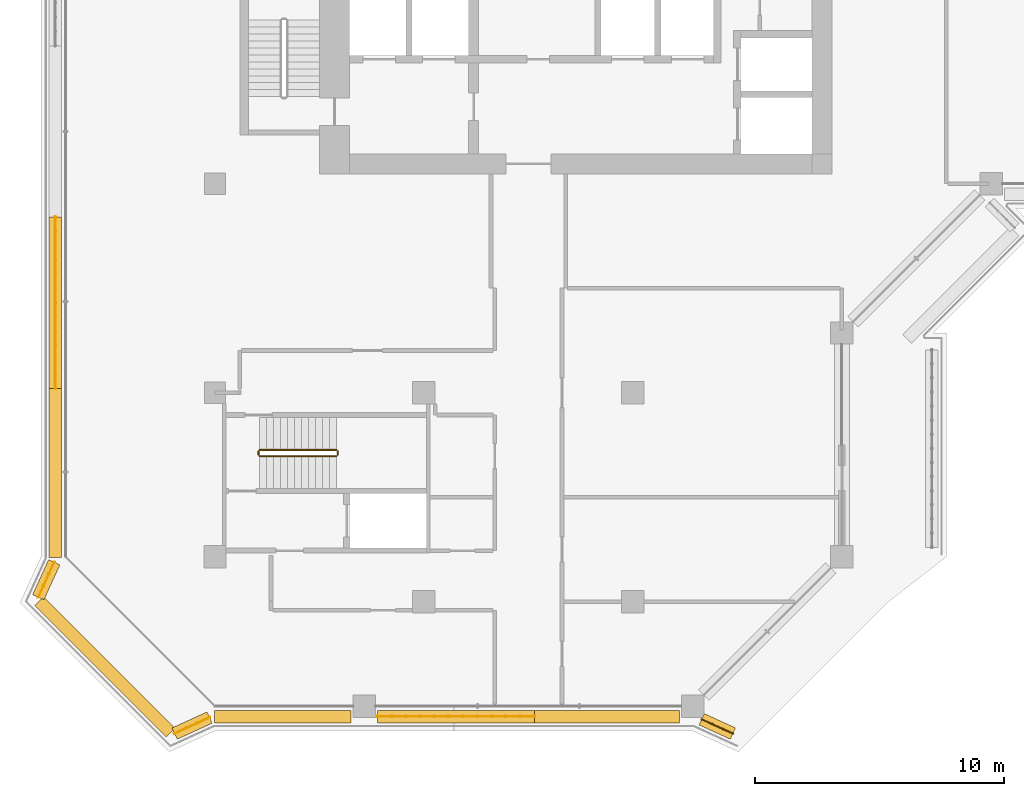
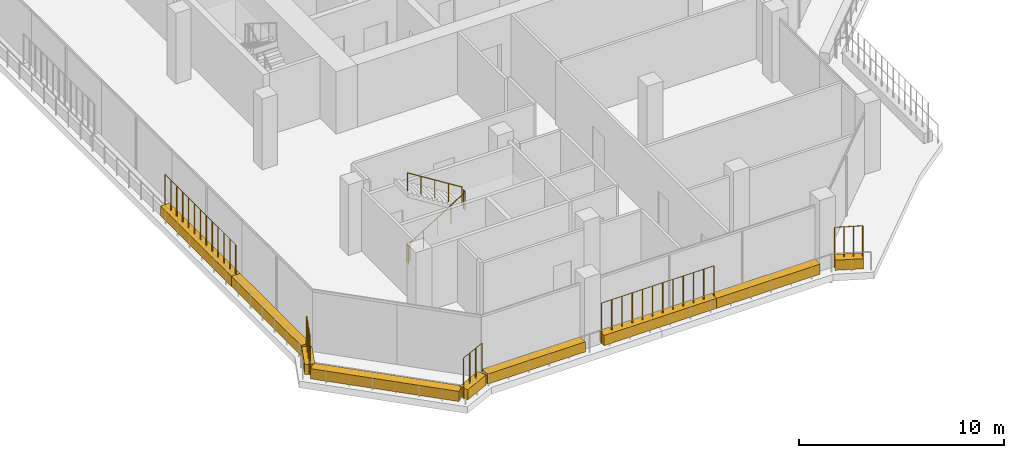
# One storey, part 16 of 23: 9 coverings, 9 railings.
"""IFC4 building model written with IfcOpenShell, lengths in metres."""

from ifc_helpers import new_model, si_unit, direction, frame, origin, origin_2d, place, context, subcontext, project, spatial, rectangle, circle, extrude, material, material_profile, profile_set, type_object, element, save


model = new_model("IFC4")

# Units and contexts
model_context = context("Model", 3, precision=1e-05, world=origin(), true_north=direction((0.0, 1.0)))
body_context = subcontext(model_context, "Body", "Model", "MODEL_VIEW")
ifc_project = project(units=[si_unit("LENGTHUNIT", "METRE"), si_unit("AREAUNIT", "SQUARE_METRE"), si_unit("VOLUMEUNIT", "CUBIC_METRE"), si_unit("PLANEANGLEUNIT", "RADIAN"), si_unit("MASSUNIT", "GRAM", prefix="KILO")], contexts=[model_context])

# Site, building, storey
site_placement = place(None, origin())
site = spatial("IfcSite", under=ifc_project, at=site_placement, CompositionType="ELEMENT")
building_placement = place(site_placement, origin())
building = spatial("IfcBuilding", under=site, at=building_placement, Name="Kawkab Arch Medical Tower", CompositionType="ELEMENT")
storey_placement = place(building_placement, frame((0.0, 0.0, 268.39990234375)))
storey = spatial("IfcBuildingStorey", under=building, at=storey_placement, Name="L62", CompositionType="ELEMENT", Elevation=268.39990234375)

# Coverings
ifc_material_1 = material(Name="Planting soil in a precast trough", Category="concrete")
ifc_material_profile = material_profile(ifc_material_1, rectangle(XDim=0.5, YDim=0.60009765625, at=origin_2d()), Name="Trough 500x600")
ifc_profile_set = profile_set([ifc_material_profile], Name="Planting soil in a precast trough")
covering_type = type_object("IfcCoveringType", Name="Planter trough 500 x 600", PredefinedType="USERDEFINED", material=ifc_profile_set)
covering_1_placement = place(storey_placement, frame((20.821044921875, -47.302001953125, 0.300048828125), z_axis=(-0.909831953447, 0.41497688669, 0.0), x_axis=(-0.41497688669, -0.909831953447, 0.0)))
element("IfcCovering", 1, at=covering_1_placement, inside=storey, type_object=covering_type, Name="Planter L62.LOG-01-01.1", ObjectType="PLANTER", PredefinedType="USERDEFINED", context=body_context, shape_type="SweptSolid", body=[
    extrude(rectangle(XDim=0.5, YDim=0.60009765625, at=origin_2d()), origin(), (0.0, 0.0, 1.0), 1.37841796875),
])
covering_2_placement = place(storey_placement, frame((18.669921875, -46.6201171875, 0.300048828125), z_axis=(-1.0, 0.0, 0.0), x_axis=(0.0, -1.0, 0.0)))
element("IfcCovering", 2, at=covering_2_placement, inside=storey, type_object=covering_type, Name="Planter L62.LOG-01-01.2", ObjectType="PLANTER", PredefinedType="USERDEFINED", context=body_context, shape_type="SweptSolid", body=[
    extrude(rectangle(XDim=0.5, YDim=0.60009765625, at=origin_2d()), origin(), (0.0, 0.0, 1.0), 5.827880859375),
])
covering_3_placement = place(storey_placement, frame((12.842041015625, -46.6201171875, 0.300048828125), z_axis=(-1.0, 0.0, 0.0), x_axis=(0.0, -1.0, 0.0)))
element("IfcCovering", 3, at=covering_3_placement, inside=storey, type_object=covering_type, Name="Planter L62.LOG-01-01.3", ObjectType="PLANTER", PredefinedType="USERDEFINED", context=body_context, shape_type="SweptSolid", body=[
    extrude(rectangle(XDim=0.5, YDim=0.60009765625, at=origin_2d()), origin(), (0.0, 0.0, 1.0), 6.31201171875),
])
covering_4_placement = place(storey_placement, frame((5.469970703125, -46.6201171875, 0.300048828125), z_axis=(-1.0, 0.0, 0.0), x_axis=(0.0, -1.0, 0.0)))
element("IfcCovering", 4, at=covering_4_placement, inside=storey, type_object=covering_type, Name="Planter L62.LOG-01-01.4", ObjectType="PLANTER", PredefinedType="USERDEFINED", context=body_context, shape_type="SweptSolid", body=[
    extrude(rectangle(XDim=0.5, YDim=0.60009765625, at=origin_2d()), origin(), (0.0, 0.0, 1.0), 5.495849609375),
])
covering_5_placement = place(storey_placement, frame((-0.217041015625, -46.660888671875, 0.300048828125), z_axis=(-0.909655525109, -0.415363486165, 0.0), x_axis=(0.415363486165, -0.909655525109, 0.0)))
element("IfcCovering", 5, at=covering_5_placement, inside=storey, type_object=covering_type, Name="Planter L62.LOG-01-01.5", ObjectType="PLANTER", PredefinedType="USERDEFINED", context=body_context, shape_type="SweptSolid", body=[
    extrude(rectangle(XDim=0.5, YDim=0.60009765625, at=origin_2d()), origin(), (0.0, 0.0, 1.0), 1.54345703125),
])
covering_6_placement = place(storey_placement, frame((-1.782958984375, -47.27294921875, 0.300048828125), z_axis=(-0.707106781187, 0.707106781187, 0.0), x_axis=(-0.707106781187, -0.707106781187, 0.0)))
element("IfcCovering", 6, at=covering_6_placement, inside=storey, type_object=covering_type, Name="Planter L62.LOG-01-01.6", ObjectType="PLANTER", PredefinedType="USERDEFINED", context=body_context, shape_type="SweptSolid", body=[
    extrude(rectangle(XDim=0.5, YDim=0.60009765625, at=origin_2d()), origin(), (0.0, 0.0, 1.0), 7.481201171875),
])
covering_7_placement = place(storey_placement, frame((-7.10205078125, -41.821044921875, 0.300048828125), z_axis=(0.415363486165, 0.909655525109, 0.0), x_axis=(-0.909655525109, 0.415363486165, 0.0)))
element("IfcCovering", 7, at=covering_7_placement, inside=storey, type_object=covering_type, Name="Planter L62.LOG-01-01.7", ObjectType="PLANTER", PredefinedType="USERDEFINED", context=body_context, shape_type="SweptSolid", body=[
    extrude(rectangle(XDim=0.5, YDim=0.60009765625, at=origin_2d()), origin(), (0.0, 0.0, 1.0), 1.54345703125),
])
covering_8_placement = place(storey_placement, frame((-6.419921875, -40.22607421875, 0.300048828125), z_axis=(0.0, 1.0, 0.0), x_axis=(-1.0, 0.0, 0.0)))
element("IfcCovering", 8, at=covering_8_placement, inside=storey, type_object=covering_type, Name="Planter L62.LOG-01-01.8", ObjectType="PLANTER", PredefinedType="USERDEFINED", context=body_context, shape_type="SweptSolid", body=[
    extrude(rectangle(XDim=0.5, YDim=0.60009765625, at=origin_2d()), origin(), (0.0, 0.0, 1.0), 6.7900390625),
])
covering_9_placement = place(storey_placement, frame((-6.419921875, -33.43603515625, 0.300048828125), z_axis=(0.0, 1.0, 0.0), x_axis=(-1.0, 0.0, 0.0)))
element("IfcCovering", 9, at=covering_9_placement, inside=storey, type_object=covering_type, Name="Planter L62.LOG-01-01.9", ObjectType="PLANTER", PredefinedType="USERDEFINED", context=body_context, shape_type="SweptSolid", body=[
    extrude(rectangle(XDim=0.5, YDim=0.60009765625, at=origin_2d()), origin(), (0.0, 0.0, 1.0), 6.89111328125),
])

# Railings
ifc_material_2 = material(Name="Bronze anodised aluminium trellis for climbing plants", Category="aluminium")
railing_type_1 = type_object("IfcRailingType", Name="Planting trellis 2400", PredefinedType="USERDEFINED", material=ifc_material_2)
railing_1_placement = place(storey_placement, frame((20.821044921875, -47.302001953125, 0.0)))
element("IfcRailing", 10, at=railing_1_placement, inside=storey, type_object=railing_type_1, Name="Planting trellis L62.LOG-01-01.1", ObjectType="TRELLIS", PredefinedType="USERDEFINED", context=body_context, shape_type="SweptSolid", body=[
    extrude(circle(Radius=0.01513671875, at=origin_2d()), frame((0.0, 0.0, 2.384765625), z_axis=(-0.909831953447, 0.41497688669, 0.0), x_axis=(-0.41497688669, -0.909831953447, 0.0)), (0.0, 0.0, 1.0), 1.37841796875),
    extrude(circle(Radius=0.030029296875, at=origin_2d()), origin(), (0.0, 0.0, 1.0), 2.369873046875),
    extrude(circle(Radius=0.030029296875, at=origin_2d()), frame((-0.41796875, 0.190673828125, 0.0)), (0.0, 0.0, 1.0), 2.369873046875),
    extrude(circle(Radius=0.030029296875, at=origin_2d()), frame((-0.836181640625, 0.38134765625, 0.0)), (0.0, 0.0, 1.0), 2.369873046875),
    extrude(circle(Radius=0.030029296875, at=origin_2d()), frame((-1.254150390625, 0.572021484375, 0.0)), (0.0, 0.0, 1.0), 2.369873046875),
])
railing_2_placement = place(storey_placement, frame((12.842041015625, -46.6201171875, 0.0)))
element("IfcRailing", 11, at=railing_2_placement, inside=storey, type_object=railing_type_1, Name="Planting trellis L62.LOG-01-01.3", ObjectType="TRELLIS", PredefinedType="USERDEFINED", context=body_context, shape_type="SweptSolid", body=[
    extrude(circle(Radius=0.01513671875, at=origin_2d()), frame((0.0, 0.0, 2.384765625), z_axis=(-1.0, 0.0, 0.0), x_axis=(0.0, -1.0, 0.0)), (0.0, 0.0, 1.0), 6.31201171875),
    extrude(circle(Radius=0.030029296875, at=origin_2d()), origin(), (0.0, 0.0, 1.0), 2.369873046875),
    extrude(circle(Radius=0.030029296875, at=origin_2d()), frame((-0.57373046875, 0.0, 0.0)), (0.0, 0.0, 1.0), 2.369873046875),
    extrude(circle(Radius=0.030029296875, at=origin_2d()), frame((-1.147705078125, 0.0, 0.0)), (0.0, 0.0, 1.0), 2.369873046875),
    extrude(circle(Radius=0.030029296875, at=origin_2d()), frame((-1.721435546875, 0.0, 0.0)), (0.0, 0.0, 1.0), 2.369873046875),
    extrude(circle(Radius=0.030029296875, at=origin_2d()), frame((-2.295166015625, 0.0, 0.0)), (0.0, 0.0, 1.0), 2.369873046875),
    extrude(circle(Radius=0.030029296875, at=origin_2d()), frame((-2.869140625, 0.0, 0.0)), (0.0, 0.0, 1.0), 2.369873046875),
    extrude(circle(Radius=0.030029296875, at=origin_2d()), frame((-3.44287109375, 0.0, 0.0)), (0.0, 0.0, 1.0), 2.369873046875),
    extrude(circle(Radius=0.030029296875, at=origin_2d()), frame((-4.016845703125, 0.0, 0.0)), (0.0, 0.0, 1.0), 2.369873046875),
    extrude(circle(Radius=0.030029296875, at=origin_2d()), frame((-4.590576171875, 0.0, 0.0)), (0.0, 0.0, 1.0), 2.369873046875),
    extrude(circle(Radius=0.030029296875, at=origin_2d()), frame((-5.164306640625, 0.0, 0.0)), (0.0, 0.0, 1.0), 2.369873046875),
    extrude(circle(Radius=0.030029296875, at=origin_2d()), frame((-5.73828125, 0.0, 0.0)), (0.0, 0.0, 1.0), 2.369873046875),
    extrude(circle(Radius=0.030029296875, at=origin_2d()), frame((-6.31201171875, 0.0, 0.0)), (0.0, 0.0, 1.0), 2.369873046875),
])
railing_3_placement = place(storey_placement, frame((-0.217041015625, -46.660888671875, 0.0)))
element("IfcRailing", 12, at=railing_3_placement, inside=storey, type_object=railing_type_1, Name="Planting trellis L62.LOG-01-01.5", ObjectType="TRELLIS", PredefinedType="USERDEFINED", context=body_context, shape_type="SweptSolid", body=[
    extrude(circle(Radius=0.01513671875, at=origin_2d()), frame((0.0, 0.0, 2.384765625), z_axis=(-0.909655525109, -0.415363486165, 0.0), x_axis=(0.415363486165, -0.909655525109, 0.0)), (0.0, 0.0, 1.0), 1.54345703125),
    extrude(circle(Radius=0.030029296875, at=origin_2d()), origin(), (0.0, 0.0, 1.0), 2.369873046875),
    extrude(circle(Radius=0.030029296875, at=origin_2d()), frame((-0.468017578125, -0.213623046875, 0.0)), (0.0, 0.0, 1.0), 2.369873046875),
    extrude(circle(Radius=0.030029296875, at=origin_2d()), frame((-0.93603515625, -0.427490234375, 0.0)), (0.0, 0.0, 1.0), 2.369873046875),
    extrude(circle(Radius=0.030029296875, at=origin_2d()), frame((-1.404052734375, -0.64111328125, 0.0)), (0.0, 0.0, 1.0), 2.369873046875),
])
railing_4_placement = place(storey_placement, frame((-7.10205078125, -41.821044921875, 0.0)))
element("IfcRailing", 13, at=railing_4_placement, inside=storey, type_object=railing_type_1, Name="Planting trellis L62.LOG-01-01.7", ObjectType="TRELLIS", PredefinedType="USERDEFINED", context=body_context, shape_type="SweptSolid", body=[
    extrude(circle(Radius=0.01513671875, at=origin_2d()), frame((0.0, 0.0, 2.384765625), z_axis=(0.415363486165, 0.909655525109, 0.0), x_axis=(-0.909655525109, 0.415363486165, 0.0)), (0.0, 0.0, 1.0), 1.54345703125),
    extrude(circle(Radius=0.030029296875, at=origin_2d()), origin(), (0.0, 0.0, 1.0), 2.369873046875),
    extrude(circle(Radius=0.030029296875, at=origin_2d()), frame((0.213623046875, 0.468017578125, 0.0)), (0.0, 0.0, 1.0), 2.369873046875),
    extrude(circle(Radius=0.030029296875, at=origin_2d()), frame((0.427490234375, 0.93603515625, 0.0)), (0.0, 0.0, 1.0), 2.369873046875),
    extrude(circle(Radius=0.030029296875, at=origin_2d()), frame((0.64111328125, 1.404052734375, 0.0)), (0.0, 0.0, 1.0), 2.369873046875),
])
railing_5_placement = place(storey_placement, frame((-6.419921875, -33.43603515625, 0.0)))
element("IfcRailing", 14, at=railing_5_placement, inside=storey, type_object=railing_type_1, Name="Planting trellis L62.LOG-01-01.9", ObjectType="TRELLIS", PredefinedType="USERDEFINED", context=body_context, shape_type="SweptSolid", body=[
    extrude(circle(Radius=0.01513671875, at=origin_2d()), frame((0.0, 0.0, 2.384765625), z_axis=(0.0, 1.0, 0.0), x_axis=(-1.0, 0.0, 0.0)), (0.0, 0.0, 1.0), 6.89111328125),
    extrude(circle(Radius=0.030029296875, at=origin_2d()), origin(), (0.0, 0.0, 1.0), 2.369873046875),
    extrude(circle(Radius=0.030029296875, at=origin_2d()), frame((0.0, 0.57421875, 0.0)), (0.0, 0.0, 1.0), 2.369873046875),
    extrude(circle(Radius=0.030029296875, at=origin_2d()), frame((0.0, 1.1484375, 0.0)), (0.0, 0.0, 1.0), 2.369873046875),
    extrude(circle(Radius=0.030029296875, at=origin_2d()), frame((0.0, 1.72265625, 0.0)), (0.0, 0.0, 1.0), 2.369873046875),
    extrude(circle(Radius=0.030029296875, at=origin_2d()), frame((0.0, 2.297119140625, 0.0)), (0.0, 0.0, 1.0), 2.369873046875),
    extrude(circle(Radius=0.030029296875, at=origin_2d()), frame((0.0, 2.871337890625, 0.0)), (0.0, 0.0, 1.0), 2.369873046875),
    extrude(circle(Radius=0.030029296875, at=origin_2d()), frame((0.0, 3.445556640625, 0.0)), (0.0, 0.0, 1.0), 2.369873046875),
    extrude(circle(Radius=0.030029296875, at=origin_2d()), frame((0.0, 4.019775390625, 0.0)), (0.0, 0.0, 1.0), 2.369873046875),
    extrude(circle(Radius=0.030029296875, at=origin_2d()), frame((0.0, 4.593994140625, 0.0)), (0.0, 0.0, 1.0), 2.369873046875),
    extrude(circle(Radius=0.030029296875, at=origin_2d()), frame((0.0, 5.16845703125, 0.0)), (0.0, 0.0, 1.0), 2.369873046875),
    extrude(circle(Radius=0.030029296875, at=origin_2d()), frame((0.0, 5.74267578125, 0.0)), (0.0, 0.0, 1.0), 2.369873046875),
    extrude(circle(Radius=0.030029296875, at=origin_2d()), frame((0.0, 6.31689453125, 0.0)), (0.0, 0.0, 1.0), 2.369873046875),
    extrude(circle(Radius=0.030029296875, at=origin_2d()), frame((0.0, 6.89111328125, 0.0)), (0.0, 0.0, 1.0), 2.369873046875),
])
ifc_material_3 = material(Name="Stainless steel", Category="steel")
railing_type_2 = type_object("IfcRailingType", Name="Stair guard 1100", PredefinedType="GUARDRAIL", material=ifc_material_3)
railing_6_placement = place(storey_placement, frame((1.800048828125, -36.14990234375, 0.175048828125)))
element("IfcRailing", 15, at=railing_6_placement, inside=storey, type_object=railing_type_2, Name="L62 ST6 stair guard 1", PredefinedType="GUARDRAIL", context=body_context, shape_type="SweptSolid", body=[
    extrude(circle(Radius=0.02392578125, at=origin_2d()), frame((0.0, 0.0, 1.076171875), z_axis=(0.847979421464, 0.0, 0.530029150871), x_axis=(0.0, 1.0, 0.0)), (0.0, 0.0, 1.0), 3.632080078125),
    extrude(circle(Radius=0.02099609375, at=origin_2d()), origin(), (0.0, 0.0, 1.0), 1.052001953125),
    extrude(circle(Radius=0.02099609375, at=origin_2d()), frame((0.77001953125, 0.0, 0.481201171875)), (0.0, 0.0, 1.0), 1.052001953125),
    extrude(circle(Radius=0.02099609375, at=origin_2d()), frame((1.5400390625, 0.0, 0.96240234375)), (0.0, 0.0, 1.0), 1.052001953125),
    extrude(circle(Radius=0.02099609375, at=origin_2d()), frame((2.309814453125, 0.0, 1.44384765625)), (0.0, 0.0, 1.0), 1.052001953125),
    extrude(circle(Radius=0.02099609375, at=origin_2d()), frame((3.079833984375, 0.0, 1.925048828125)), (0.0, 0.0, 1.0), 1.052001953125),
])
railing_7_placement = place(storey_placement, frame((4.929931640625, -36.10009765625, 2.10009765625)))
element("IfcRailing", 16, at=railing_7_placement, inside=storey, type_object=railing_type_2, Name="L62 ST6 stair guard 2", PredefinedType="GUARDRAIL", context=body_context, shape_type="SweptSolid", body=[
    extrude(circle(Radius=0.02392578125, at=origin_2d()), frame((0.0, 0.0, 1.076171875), z_axis=(0.0, 1.0, 0.0), x_axis=(-1.0, 0.0, 0.0)), (0.0, 0.0, 1.0), 0.150146484375),
    extrude(circle(Radius=0.02099609375, at=origin_2d()), origin(), (0.0, 0.0, 1.0), 1.052001953125),
    extrude(circle(Radius=0.02099609375, at=origin_2d()), frame((0.0, 0.150146484375, 0.0)), (0.0, 0.0, 1.0), 1.052001953125),
])
railing_8_placement = place(storey_placement, frame((4.8798828125, -35.89990234375, 2.275146484375)))
element("IfcRailing", 17, at=railing_8_placement, inside=storey, type_object=railing_type_2, Name="L62 ST6 stair guard 3", PredefinedType="GUARDRAIL", context=body_context, shape_type="SweptSolid", body=[
    extrude(circle(Radius=0.02392578125, at=origin_2d()), frame((0.0, 0.0, 1.076171875), z_axis=(-0.847979421464, 0.0, 0.530029150871), x_axis=(0.0, -1.0, 0.0)), (0.0, 0.0, 1.0), 3.632080078125),
    extrude(circle(Radius=0.02099609375, at=origin_2d()), origin(), (0.0, 0.0, 1.0), 1.052001953125),
    extrude(circle(Radius=0.02099609375, at=origin_2d()), frame((-0.77001953125, 0.0, 0.481201171875)), (0.0, 0.0, 1.0), 1.052001953125),
    extrude(circle(Radius=0.02099609375, at=origin_2d()), frame((-1.5400390625, 0.0, 0.96240234375)), (0.0, 0.0, 1.0), 1.052001953125),
    extrude(circle(Radius=0.02099609375, at=origin_2d()), frame((-2.309814453125, 0.0, 1.44384765625)), (0.0, 0.0, 1.0), 1.052001953125),
    extrude(circle(Radius=0.02099609375, at=origin_2d()), frame((-3.079833984375, 0.0, 1.925048828125)), (0.0, 0.0, 1.0), 1.052001953125),
])
railing_9_placement = place(storey_placement, frame((1.75, -36.10009765625, 0.0)))
element("IfcRailing", 18, at=railing_9_placement, inside=storey, type_object=railing_type_2, Name="L62 ST6 stair guard 4", PredefinedType="GUARDRAIL", context=body_context, shape_type="SweptSolid", body=[
    extrude(circle(Radius=0.02392578125, at=origin_2d()), frame((0.0, 0.0, 1.076171875), z_axis=(0.0, 1.0, 0.0), x_axis=(-1.0, 0.0, 0.0)), (0.0, 0.0, 1.0), 0.150146484375),
    extrude(circle(Radius=0.02099609375, at=origin_2d()), origin(), (0.0, 0.0, 1.0), 1.052001953125),
    extrude(circle(Radius=0.02099609375, at=origin_2d()), frame((0.0, 0.150146484375, 0.0)), (0.0, 0.0, 1.0), 1.052001953125),
])

save(model, "model.ifc")
